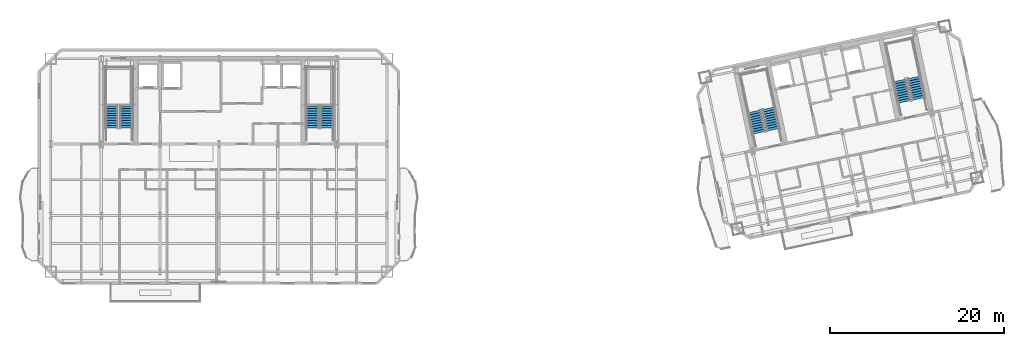
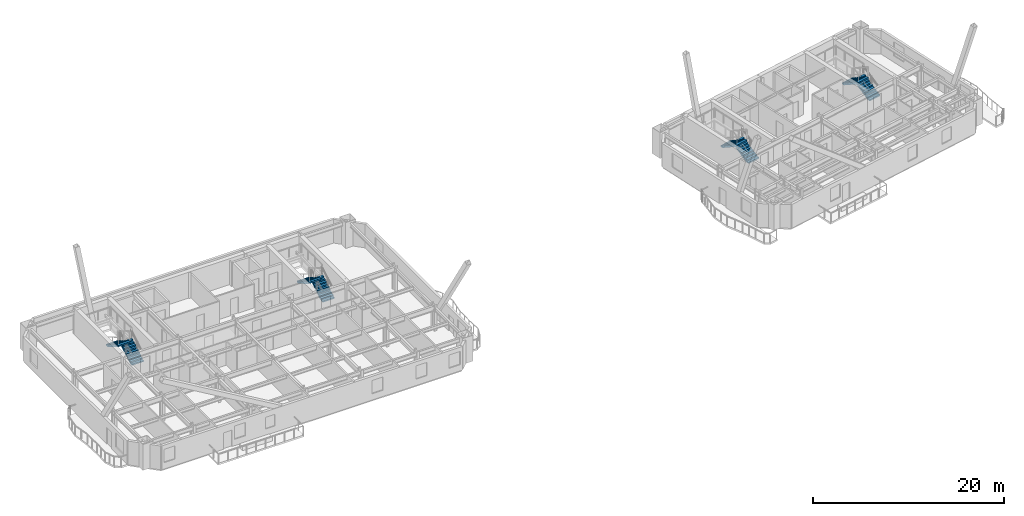
# One storey, part 9 of 13: 8 stair flights, 4 elements without a shape of their own.
"""IFC4 building model written with IfcOpenShell, lengths in metres."""

from ifc_helpers import new_model, si_unit, direction, frame, origin, place, context, subcontext, project, spatial, polyline, outline, extrude, material, type_object, element, aggregate, save


model = new_model("IFC4")

# Units and contexts
model_context = context("Model", 3, precision=1e-05, world=origin(), true_north=direction((0.0, 1.0)))
body_context = subcontext(model_context, "Body", "Model", "MODEL_VIEW")
ifc_project = project(units=[si_unit("LENGTHUNIT", "METRE"), si_unit("AREAUNIT", "SQUARE_METRE"), si_unit("VOLUMEUNIT", "CUBIC_METRE"), si_unit("PLANEANGLEUNIT", "RADIAN"), si_unit("MASSUNIT", "GRAM", prefix="KILO")], contexts=[model_context])

# Site, building, storey
site_placement = place(None, origin())
site = spatial("IfcSite", under=ifc_project, at=site_placement, CompositionType="ELEMENT")
building_placement = place(site_placement, origin())
building = spatial("IfcBuilding", under=site, at=building_placement, Name="Haevon Station Towers", CompositionType="ELEMENT")
storey_placement = place(building_placement, frame((0.0, 0.0, 185.699951171875)))
storey = spatial("IfcBuildingStorey", under=building, at=storey_placement, Name="L51", CompositionType="ELEMENT", Elevation=185.699951171875)

# Stair, stair flights
ifc_material = material(Name="Concrete C40/50", Category="concrete")
stair_type = type_object("IfcStairType", Name="STR-DL1450", PredefinedType="USERDEFINED", material=ifc_material)
stair_1_placement = place(storey_placement, origin())
stair_1 = element("IfcStair", 1, at=stair_1_placement, inside=storey, type_object=stair_type, Name="L51 Escape Stair ST1", ObjectType="TWO_RETURN_STAIR", PredefinedType="USERDEFINED")
stair_flight_type = type_object("IfcStairFlightType", Name="STF-ST1450", PredefinedType="STRAIGHT", material=ifc_material)
stair_flight_1_placement = place(storey_placement, frame((26.85498046875, 40.050048828125, 0.0), z_axis=(0.0, 0.0, 1.0), x_axis=(0.0, 1.0, 0.0)))
stair_flight_1 = element("IfcStairFlight", 2, at=stair_flight_1_placement, type_object=stair_flight_type, Name="L51 ST1 Flight 1", NumberOfRisers=10, NumberOfTreads=9, PredefinedType="STRAIGHT", RiserHeight=0.165, TreadLength=0.28, context=body_context, shape_type="SweptSolid", body=[
    extrude(outline(polyline([(0.0, 0.0), (0.0, 0.1650390625), (0.280029296875, 0.1650390625), (0.280029296875, 0.330078125), (0.56005859375, 0.330078125), (0.56005859375, 0.4951171875), (0.840087890625, 0.4951171875), (0.840087890625, 0.659912109375), (1.1201171875, 0.659912109375), (1.1201171875, 0.824951171875), (1.39990234375, 0.824951171875), (1.39990234375, 0.989990234375), (1.679931640625, 0.989990234375), (1.679931640625, 1.155029296875), (1.9599609375, 1.155029296875), (1.9599609375, 1.320068359375), (2.239990234375, 1.320068359375), (2.239990234375, 1.485107421875), (2.52001953125, 1.485107421875), (2.52001953125, 1.64990234375), (2.52001953125, 1.29931640625), (0.31494140625, 0.0), (0.0, 0.0)])), frame((0.0, 0.72509765625, 0.0), z_axis=(0.0, -1.0, 0.0), x_axis=(1.0, 0.0, 0.0)), (0.0, 0.0, 1.0), 1.449951171875),
])
stair_flight_2_placement = place(storey_placement, frame((25.205078125, 42.570068359375, 1.650146484375), z_axis=(0.0, 0.0, 1.0), x_axis=(0.0, -1.0, 0.0)))
stair_flight_2 = element("IfcStairFlight", 3, at=stair_flight_2_placement, type_object=stair_flight_type, Name="L51 ST1 Flight 2", NumberOfRisers=10, NumberOfTreads=9, PredefinedType="STRAIGHT", RiserHeight=0.165, TreadLength=0.28, context=body_context, shape_type="SweptSolid", body=[
    extrude(outline(polyline([(0.0, 0.0), (0.0, 0.1650390625), (0.280029296875, 0.1650390625), (0.280029296875, 0.330078125), (0.56005859375, 0.330078125), (0.56005859375, 0.4951171875), (0.840087890625, 0.4951171875), (0.840087890625, 0.659912109375), (1.1201171875, 0.659912109375), (1.1201171875, 0.824951171875), (1.39990234375, 0.824951171875), (1.39990234375, 0.989990234375), (1.679931640625, 0.989990234375), (1.679931640625, 1.155029296875), (1.9599609375, 1.155029296875), (1.9599609375, 1.320068359375), (2.239990234375, 1.320068359375), (2.239990234375, 1.485107421875), (2.52001953125, 1.485107421875), (2.52001953125, 1.64990234375), (2.52001953125, 1.29931640625), (0.31494140625, 0.0), (0.0, 0.0)])), frame((0.0, 0.72509765625, 0.0), z_axis=(0.0, -1.0, 0.0), x_axis=(1.0, 0.0, 0.0)), (0.0, 0.0, 1.0), 1.449951171875),
])
aggregate(stair_1, [stair_flight_1, stair_flight_2])

stair_2_placement = place(storey_placement, origin())
stair_2 = element("IfcStair", 4, at=stair_2_placement, inside=storey, type_object=stair_type, Name="L51 Escape Stair ST2", ObjectType="TWO_RETURN_STAIR", PredefinedType="USERDEFINED")
stair_flight_3_placement = place(storey_placement, frame((49.89501953125, 40.050048828125, 0.0), z_axis=(0.0, 0.0, 1.0), x_axis=(0.0, 1.0, 0.0)))
stair_flight_3 = element("IfcStairFlight", 5, at=stair_flight_3_placement, type_object=stair_flight_type, Name="L51 ST2 Flight 1", NumberOfRisers=10, NumberOfTreads=9, PredefinedType="STRAIGHT", RiserHeight=0.165, TreadLength=0.28, context=body_context, shape_type="SweptSolid", body=[
    extrude(outline(polyline([(0.0, 0.0), (0.0, 0.1650390625), (0.280029296875, 0.1650390625), (0.280029296875, 0.330078125), (0.56005859375, 0.330078125), (0.56005859375, 0.4951171875), (0.840087890625, 0.4951171875), (0.840087890625, 0.659912109375), (1.1201171875, 0.659912109375), (1.1201171875, 0.824951171875), (1.39990234375, 0.824951171875), (1.39990234375, 0.989990234375), (1.679931640625, 0.989990234375), (1.679931640625, 1.155029296875), (1.9599609375, 1.155029296875), (1.9599609375, 1.320068359375), (2.239990234375, 1.320068359375), (2.239990234375, 1.485107421875), (2.52001953125, 1.485107421875), (2.52001953125, 1.64990234375), (2.52001953125, 1.29931640625), (0.31494140625, 0.0), (0.0, 0.0)])), frame((0.0, 0.72509765625, 0.0), z_axis=(0.0, -1.0, 0.0), x_axis=(1.0, 0.0, 0.0)), (0.0, 0.0, 1.0), 1.449951171875),
])
stair_flight_4_placement = place(storey_placement, frame((48.2451171875, 42.570068359375, 1.650146484375), z_axis=(0.0, 0.0, 1.0), x_axis=(0.0, -1.0, 0.0)))
stair_flight_4 = element("IfcStairFlight", 6, at=stair_flight_4_placement, type_object=stair_flight_type, Name="L51 ST2 Flight 2", NumberOfRisers=10, NumberOfTreads=9, PredefinedType="STRAIGHT", RiserHeight=0.165, TreadLength=0.28, context=body_context, shape_type="SweptSolid", body=[
    extrude(outline(polyline([(0.0, 0.0), (0.0, 0.1650390625), (0.280029296875, 0.1650390625), (0.280029296875, 0.330078125), (0.56005859375, 0.330078125), (0.56005859375, 0.4951171875), (0.840087890625, 0.4951171875), (0.840087890625, 0.659912109375), (1.1201171875, 0.659912109375), (1.1201171875, 0.824951171875), (1.39990234375, 0.824951171875), (1.39990234375, 0.989990234375), (1.679931640625, 0.989990234375), (1.679931640625, 1.155029296875), (1.9599609375, 1.155029296875), (1.9599609375, 1.320068359375), (2.239990234375, 1.320068359375), (2.239990234375, 1.485107421875), (2.52001953125, 1.485107421875), (2.52001953125, 1.64990234375), (2.52001953125, 1.29931640625), (0.31494140625, 0.0), (0.0, 0.0)])), frame((0.0, 0.72509765625, 0.0), z_axis=(0.0, -1.0, 0.0), x_axis=(1.0, 0.0, 0.0)), (0.0, 0.0, 1.0), 1.449951171875),
])
aggregate(stair_2, [stair_flight_3, stair_flight_4])

stair_3_placement = place(storey_placement, origin())
stair_3 = element("IfcStair", 7, at=stair_3_placement, inside=storey, type_object=stair_type, Name="L51 Escape Stair ST3", ObjectType="TWO_RETURN_STAIR", PredefinedType="USERDEFINED")
stair_flight_5_placement = place(storey_placement, frame((101.1015625, 39.8330078125, 0.0), z_axis=(0.0, 0.0, 1.0), x_axis=(-0.207911690818, 0.978147600734, 0.0)))
stair_flight_5 = element("IfcStairFlight", 8, at=stair_flight_5_placement, type_object=stair_flight_type, Name="L51 ST3 Flight 1", NumberOfRisers=10, NumberOfTreads=9, PredefinedType="STRAIGHT", RiserHeight=0.165, TreadLength=0.28, context=body_context, shape_type="SweptSolid", body=[
    extrude(outline(polyline([(0.0, 0.0), (0.0, 0.1650390625), (0.280029296875, 0.1650390625), (0.280029296875, 0.330078125), (0.56005859375, 0.330078125), (0.56005859375, 0.4951171875), (0.840087890625, 0.4951171875), (0.840087890625, 0.659912109375), (1.1201171875, 0.659912109375), (1.1201171875, 0.824951171875), (1.39990234375, 0.824951171875), (1.39990234375, 0.989990234375), (1.679931640625, 0.989990234375), (1.679931640625, 1.155029296875), (1.9599609375, 1.155029296875), (1.9599609375, 1.320068359375), (2.239990234375, 1.320068359375), (2.239990234375, 1.485107421875), (2.52001953125, 1.485107421875), (2.52001953125, 1.64990234375), (2.52001953125, 1.29931640625), (0.31494140625, 0.0), (0.0, 0.0)])), frame((0.0, 0.72509765625, 0.0), z_axis=(0.0, -1.0, 0.0), x_axis=(1.0, 0.0, 0.0)), (0.0, 0.0, 1.0), 1.449951171875),
])
stair_flight_6_placement = place(storey_placement, frame((98.9638671875, 41.955078125, 1.650146484375), z_axis=(0.0, 0.0, 1.0), x_axis=(0.207911690818, -0.978147600734, 0.0)))
stair_flight_6 = element("IfcStairFlight", 9, at=stair_flight_6_placement, type_object=stair_flight_type, Name="L51 ST3 Flight 2", NumberOfRisers=10, NumberOfTreads=9, PredefinedType="STRAIGHT", RiserHeight=0.165, TreadLength=0.28, context=body_context, shape_type="SweptSolid", body=[
    extrude(outline(polyline([(0.0, 0.0), (0.0, 0.1650390625), (0.280029296875, 0.1650390625), (0.280029296875, 0.330078125), (0.56005859375, 0.330078125), (0.56005859375, 0.4951171875), (0.840087890625, 0.4951171875), (0.840087890625, 0.659912109375), (1.1201171875, 0.659912109375), (1.1201171875, 0.824951171875), (1.39990234375, 0.824951171875), (1.39990234375, 0.989990234375), (1.679931640625, 0.989990234375), (1.679931640625, 1.155029296875), (1.9599609375, 1.155029296875), (1.9599609375, 1.320068359375), (2.239990234375, 1.320068359375), (2.239990234375, 1.485107421875), (2.52001953125, 1.485107421875), (2.52001953125, 1.64990234375), (2.52001953125, 1.29931640625), (0.31494140625, 0.0), (0.0, 0.0)])), frame((0.0, 0.72509765625, 0.0), z_axis=(0.0, -1.0, 0.0), x_axis=(1.0, 0.0, 0.0)), (0.0, 0.0, 1.0), 1.449951171875),
])
aggregate(stair_3, [stair_flight_5, stair_flight_6])

stair_4_placement = place(storey_placement, origin())
stair_4 = element("IfcStair", 10, at=stair_4_placement, inside=storey, type_object=stair_type, Name="L51 Escape Stair ST4", ObjectType="TWO_RETURN_STAIR", PredefinedType="USERDEFINED")
stair_flight_7_placement = place(storey_placement, frame((117.788818359375, 43.380126953125, 0.0), z_axis=(0.0, 0.0, 1.0), x_axis=(-0.207911690818, 0.978147600734, 0.0)))
stair_flight_7 = element("IfcStairFlight", 11, at=stair_flight_7_placement, type_object=stair_flight_type, Name="L51 ST4 Flight 1", NumberOfRisers=10, NumberOfTreads=9, PredefinedType="STRAIGHT", RiserHeight=0.165, TreadLength=0.28, context=body_context, shape_type="SweptSolid", body=[
    extrude(outline(polyline([(0.0, 0.0), (0.0, 0.1650390625), (0.280029296875, 0.1650390625), (0.280029296875, 0.330078125), (0.56005859375, 0.330078125), (0.56005859375, 0.4951171875), (0.840087890625, 0.4951171875), (0.840087890625, 0.659912109375), (1.1201171875, 0.659912109375), (1.1201171875, 0.824951171875), (1.39990234375, 0.824951171875), (1.39990234375, 0.989990234375), (1.679931640625, 0.989990234375), (1.679931640625, 1.155029296875), (1.9599609375, 1.155029296875), (1.9599609375, 1.320068359375), (2.239990234375, 1.320068359375), (2.239990234375, 1.485107421875), (2.52001953125, 1.485107421875), (2.52001953125, 1.64990234375), (2.52001953125, 1.29931640625), (0.31494140625, 0.0), (0.0, 0.0)])), frame((0.0, 0.72509765625, 0.0), z_axis=(0.0, -1.0, 0.0), x_axis=(1.0, 0.0, 0.0)), (0.0, 0.0, 1.0), 1.449951171875),
])
stair_flight_8_placement = place(storey_placement, frame((115.65087890625, 45.501953125, 1.650146484375), z_axis=(0.0, 0.0, 1.0), x_axis=(0.207911690818, -0.978147600734, 0.0)))
stair_flight_8 = element("IfcStairFlight", 12, at=stair_flight_8_placement, type_object=stair_flight_type, Name="L51 ST4 Flight 2", NumberOfRisers=10, NumberOfTreads=9, PredefinedType="STRAIGHT", RiserHeight=0.165, TreadLength=0.28, context=body_context, shape_type="SweptSolid", body=[
    extrude(outline(polyline([(0.0, 0.0), (0.0, 0.1650390625), (0.280029296875, 0.1650390625), (0.280029296875, 0.330078125), (0.56005859375, 0.330078125), (0.56005859375, 0.4951171875), (0.840087890625, 0.4951171875), (0.840087890625, 0.659912109375), (1.1201171875, 0.659912109375), (1.1201171875, 0.824951171875), (1.39990234375, 0.824951171875), (1.39990234375, 0.989990234375), (1.679931640625, 0.989990234375), (1.679931640625, 1.155029296875), (1.9599609375, 1.155029296875), (1.9599609375, 1.320068359375), (2.239990234375, 1.320068359375), (2.239990234375, 1.485107421875), (2.52001953125, 1.485107421875), (2.52001953125, 1.64990234375), (2.52001953125, 1.29931640625), (0.31494140625, 0.0), (0.0, 0.0)])), frame((0.0, 0.72509765625, 0.0), z_axis=(0.0, -1.0, 0.0), x_axis=(1.0, 0.0, 0.0)), (0.0, 0.0, 1.0), 1.449951171875),
])
aggregate(stair_4, [stair_flight_7, stair_flight_8])

save(model, "model.ifc")
